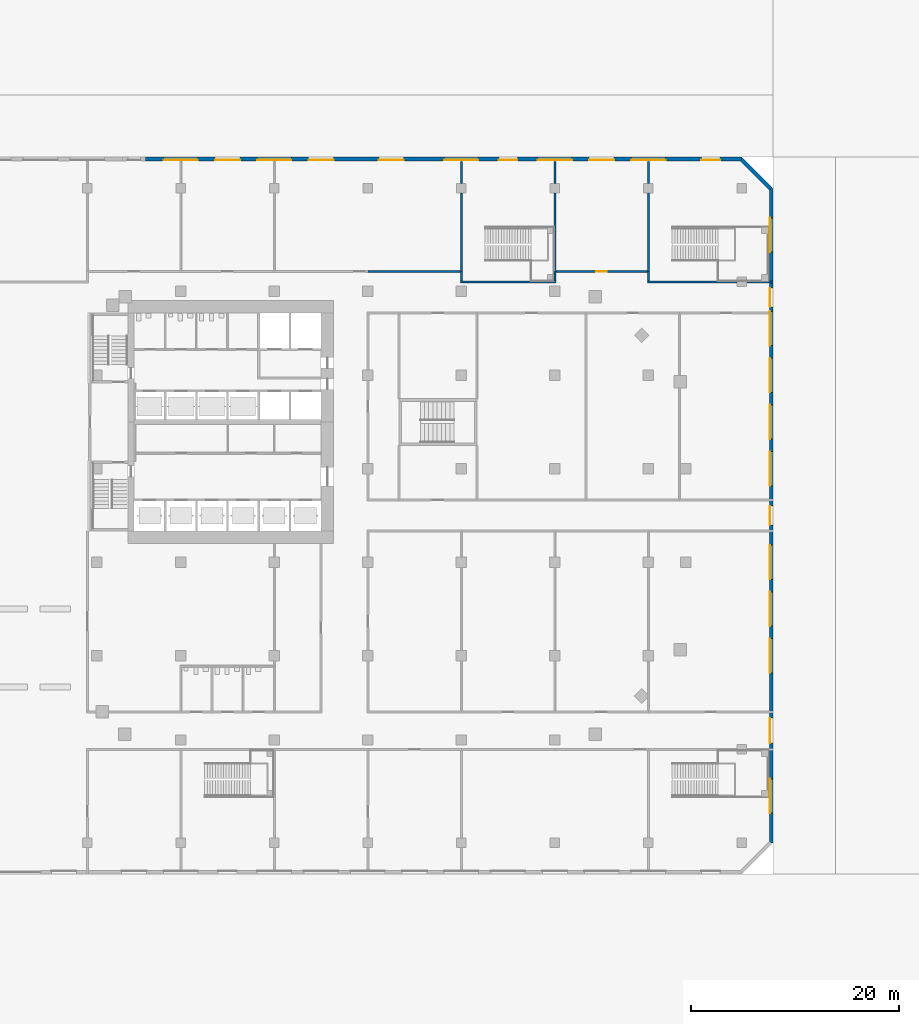
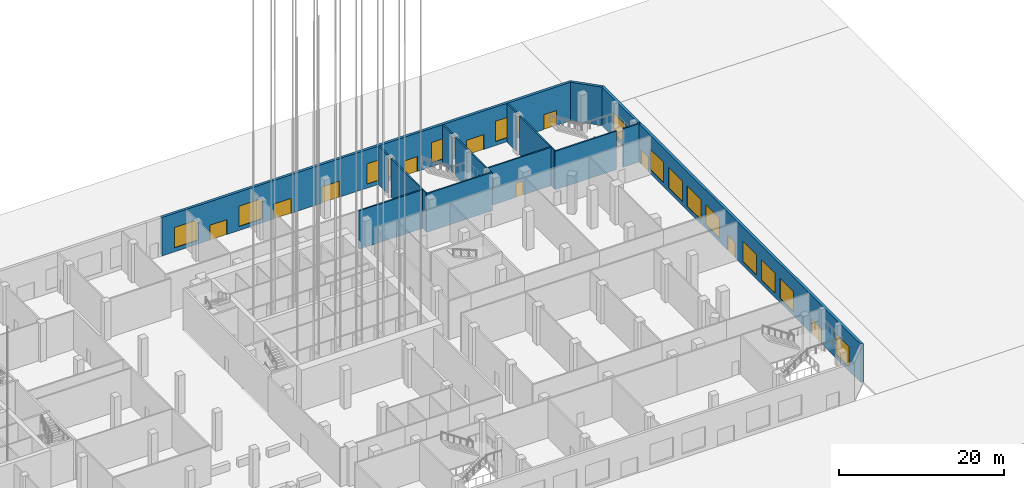
# One storey, part 43 of 55: 17 walls, 14 windows, 10 doors, 24 openings.
"""IFC4 building model written with IfcOpenShell, lengths in metres."""

from ifc_helpers import new_model, si_unit, direction, frame, frame_2d, origin, place, context, subcontext, project, spatial, rectangle, extrude, material, layer, layer_set, type_object, element, fill, save


model = new_model("IFC4")

# Units and contexts
model_context = context("Model", 3, precision=1e-05, world=origin(), true_north=direction((0.0, 1.0)))
body_context = subcontext(model_context, "Body", "Model", "MODEL_VIEW")
ifc_project = project(units=[si_unit("LENGTHUNIT", "METRE"), si_unit("AREAUNIT", "SQUARE_METRE"), si_unit("VOLUMEUNIT", "CUBIC_METRE"), si_unit("PLANEANGLEUNIT", "RADIAN"), si_unit("MASSUNIT", "GRAM", prefix="KILO")], contexts=[model_context])

# Site, building, storey
site_placement = place(None, origin())
site = spatial("IfcSite", under=ifc_project, at=site_placement, CompositionType="ELEMENT")
building_placement = place(site_placement, origin())
building = spatial("IfcBuilding", under=site, at=building_placement, Name="Cinnabar Reach Civic Tower", CompositionType="ELEMENT")
storey_placement = place(building_placement, origin())
storey = spatial("IfcBuildingStorey", under=building, at=storey_placement, Name="L00", CompositionType="ELEMENT", Elevation=0.0)

# Wall
ifc_material_1 = material(Name="Facing brick with insulated backing", Category="masonry")
ifc_layer_1 = layer(ifc_material_1, 0.36)
ifc_layer_set_1 = layer_set([ifc_layer_1], Name="Brick corner wall")
wall_type_1 = type_object("IfcWallType", Name="Brick corner wall", PredefinedType="STANDARD", material=ifc_layer_set_1)
wall_1_placement = place(storey_placement, frame((65.7843, 53.9611, 0.0), z_axis=(0.0, 0.0, 1.0), x_axis=(-0.707106781187, 0.707106781187, 0.0)))
element("IfcWall", 1, at=wall_1_placement, inside=storey, type_object=wall_type_1, Name="Brick corner wall", PredefinedType="STANDARD", context=body_context, shape_type="SweptSolid", body=[
    extrude(rectangle(XDim=3.9926, YDim=0.36, at=frame_2d((1.9963, 0.0))), origin(), (0.0, 0.0, 1.0), 5.7),
])

# Wall, openings, doors, windows
ifc_layer_2 = layer(ifc_material_1, 0.36)
ifc_layer_set_2 = layer_set([ifc_layer_2], Name="Brick pier and spandrel wall")
wall_type_2 = type_object("IfcWallType", Name="Brick pier and spandrel wall", PredefinedType="STANDARD", material=ifc_layer_set_2)
wall_2_placement = place(storey_placement, frame((65.82, -9.0, 0.0), z_axis=(0.0, 0.0, 1.0), x_axis=(0.0, 1.0, 0.0)))
wall_2 = element("IfcWall", 2, at=wall_2_placement, inside=storey, type_object=wall_type_2, Name="Brick facade wall", PredefinedType="STANDARD", context=body_context, shape_type="SweptSolid", body=[
    extrude(rectangle(XDim=63.0, YDim=0.36, at=frame_2d((31.5, 0.0))), origin(), (0.0, 0.0, 1.0), 5.7),
])
opening_1_placement = place(wall_2_placement, frame((30.6, 0.0, 0.0)))
opening_1 = element("IfcOpeningElement", 3, at=opening_1_placement, cuts=wall_2, Name="Opening D7533", PredefinedType="OPENING", context=body_context, shape_type="SweptSolid", body=[
    extrude(rectangle(XDim=1.8, YDim=2.2, at=frame_2d((0.9, 1.1))), frame((0.0, 0.19, 0.0), z_axis=(0.0, -1.0, 0.0), x_axis=(1.0, 0.0, 0.0)), (0.0, 0.0, 1.0), 0.38),
])
opening_2_placement = place(wall_2_placement, frame((51.6, 0.0, 0.0)))
opening_2 = element("IfcOpeningElement", 4, at=opening_2_placement, cuts=wall_2, Name="Opening D7534", PredefinedType="OPENING", context=body_context, shape_type="SweptSolid", body=[
    extrude(rectangle(XDim=1.8, YDim=2.2, at=frame_2d((0.9, 1.1))), frame((0.0, 0.19, 0.0), z_axis=(0.0, -1.0, 0.0), x_axis=(1.0, 0.0, 0.0)), (0.0, 0.0, 1.0), 0.38),
])
opening_3_placement = place(wall_2_placement, frame((9.6, 0.0, 0.0)))
opening_3 = element("IfcOpeningElement", 5, at=opening_3_placement, cuts=wall_2, Name="Opening D7535", PredefinedType="OPENING", context=body_context, shape_type="SweptSolid", body=[
    extrude(rectangle(XDim=2.4, YDim=2.2, at=frame_2d((1.2, 1.1))), frame((0.0, 0.19, 0.0), z_axis=(0.0, -1.0, 0.0), x_axis=(1.0, 0.0, 0.0)), (0.0, 0.0, 1.0), 0.38),
])
opening_4_placement = place(wall_2_placement, frame((2.85, 0.0, 0.6)))
opening_4 = element("IfcOpeningElement", 6, at=opening_4_placement, cuts=wall_2, Name="Opening W2818", PredefinedType="OPENING", context=body_context, shape_type="SweptSolid", body=[
    extrude(rectangle(XDim=3.3, YDim=3.0, at=frame_2d((1.65, 1.5))), frame((0.0, 0.19, 0.0), z_axis=(0.0, -1.0, 0.0), x_axis=(1.0, 0.0, 0.0)), (0.0, 0.0, 1.0), 0.38),
])
opening_5_placement = place(wall_2_placement, frame((16.35, 0.0, 0.6)))
opening_5 = element("IfcOpeningElement", 7, at=opening_5_placement, cuts=wall_2, Name="Opening W2819", PredefinedType="OPENING", context=body_context, shape_type="SweptSolid", body=[
    extrude(rectangle(XDim=3.3, YDim=3.0, at=frame_2d((1.65, 1.5))), frame((0.0, 0.19, 0.0), z_axis=(0.0, -1.0, 0.0), x_axis=(1.0, 0.0, 0.0)), (0.0, 0.0, 1.0), 0.38),
])
opening_6_placement = place(wall_2_placement, frame((20.85, 0.0, 0.6)))
opening_6 = element("IfcOpeningElement", 8, at=opening_6_placement, cuts=wall_2, Name="Opening W2820", PredefinedType="OPENING", context=body_context, shape_type="SweptSolid", body=[
    extrude(rectangle(XDim=3.3, YDim=3.0, at=frame_2d((1.65, 1.5))), frame((0.0, 0.19, 0.0), z_axis=(0.0, -1.0, 0.0), x_axis=(1.0, 0.0, 0.0)), (0.0, 0.0, 1.0), 0.38),
])
opening_7_placement = place(wall_2_placement, frame((25.35, 0.0, 0.6)))
opening_7 = element("IfcOpeningElement", 9, at=opening_7_placement, cuts=wall_2, Name="Opening W2821", PredefinedType="OPENING", context=body_context, shape_type="SweptSolid", body=[
    extrude(rectangle(XDim=3.3, YDim=3.0, at=frame_2d((1.65, 1.5))), frame((0.0, 0.19, 0.0), z_axis=(0.0, -1.0, 0.0), x_axis=(1.0, 0.0, 0.0)), (0.0, 0.0, 1.0), 0.38),
])
opening_8_placement = place(wall_2_placement, frame((34.35, 0.0, 0.6)))
opening_8 = element("IfcOpeningElement", 10, at=opening_8_placement, cuts=wall_2, Name="Opening W2822", PredefinedType="OPENING", context=body_context, shape_type="SweptSolid", body=[
    extrude(rectangle(XDim=3.3, YDim=3.0, at=frame_2d((1.65, 1.5))), frame((0.0, 0.19, 0.0), z_axis=(0.0, -1.0, 0.0), x_axis=(1.0, 0.0, 0.0)), (0.0, 0.0, 1.0), 0.38),
])
opening_9_placement = place(wall_2_placement, frame((38.85, 0.0, 0.6)))
opening_9 = element("IfcOpeningElement", 11, at=opening_9_placement, cuts=wall_2, Name="Opening W2823", PredefinedType="OPENING", context=body_context, shape_type="SweptSolid", body=[
    extrude(rectangle(XDim=3.3, YDim=3.0, at=frame_2d((1.65, 1.5))), frame((0.0, 0.19, 0.0), z_axis=(0.0, -1.0, 0.0), x_axis=(1.0, 0.0, 0.0)), (0.0, 0.0, 1.0), 0.38),
])
opening_10_placement = place(wall_2_placement, frame((43.35, 0.0, 0.6)))
opening_10 = element("IfcOpeningElement", 12, at=opening_10_placement, cuts=wall_2, Name="Opening W2824", PredefinedType="OPENING", context=body_context, shape_type="SweptSolid", body=[
    extrude(rectangle(XDim=3.3, YDim=3.0, at=frame_2d((1.65, 1.5))), frame((0.0, 0.19, 0.0), z_axis=(0.0, -1.0, 0.0), x_axis=(1.0, 0.0, 0.0)), (0.0, 0.0, 1.0), 0.38),
])
opening_11_placement = place(wall_2_placement, frame((47.85, 0.0, 0.6)))
opening_11 = element("IfcOpeningElement", 13, at=opening_11_placement, cuts=wall_2, Name="Opening W2825", PredefinedType="OPENING", context=body_context, shape_type="SweptSolid", body=[
    extrude(rectangle(XDim=3.3, YDim=3.0, at=frame_2d((1.65, 1.5))), frame((0.0, 0.19, 0.0), z_axis=(0.0, -1.0, 0.0), x_axis=(1.0, 0.0, 0.0)), (0.0, 0.0, 1.0), 0.38),
])
opening_12_placement = place(wall_2_placement, frame((56.85, 0.0, 0.6)))
opening_12 = element("IfcOpeningElement", 14, at=opening_12_placement, cuts=wall_2, Name="Opening W2826", PredefinedType="OPENING", context=body_context, shape_type="SweptSolid", body=[
    extrude(rectangle(XDim=3.3, YDim=3.0, at=frame_2d((1.65, 1.5))), frame((0.0, 0.19, 0.0), z_axis=(0.0, -1.0, 0.0), x_axis=(1.0, 0.0, 0.0)), (0.0, 0.0, 1.0), 0.38),
])
ifc_material_2 = material(Name="Steel fire door", Category="steel")
door_type_1 = type_object("IfcDoorType", Name="Facade exit double door", OperationType="SINGLE_SWING_LEFT", PredefinedType="DOOR", material=ifc_material_2)
door_1_placement = place(opening_1_placement, frame((1.8, 0.0, 0.0), z_axis=(0.0, 0.0, 1.0), x_axis=(-1.0, 0.0, 0.0)))
door_1 = element("IfcDoor", 15, at=door_1_placement, inside=storey, type_object=door_type_1, Name="East corridor exit", OperationType="DOUBLE_DOOR_SINGLE_SWING", OverallHeight=2.2, OverallWidth=1.8, PredefinedType="DOOR", context=body_context, shape_type="SweptSolid", body=[
    extrude(rectangle(XDim=1.8, YDim=2.2, at=frame_2d((0.9, 1.1))), frame((0.0, -0.07, 0.0), z_axis=(0.0, -1.0, 0.0), x_axis=(1.0, 0.0, 0.0)), (0.0, 0.0, 1.0), 0.05),
])
fill(opening_1, door_1)
door_2_placement = place(opening_2_placement, frame((1.8, 0.0, 0.0), z_axis=(0.0, 0.0, 1.0), x_axis=(-1.0, 0.0, 0.0)))
door_2 = element("IfcDoor", 16, at=door_2_placement, inside=storey, type_object=door_type_1, Name="North corridor exit", OperationType="DOUBLE_DOOR_SINGLE_SWING", OverallHeight=2.2, OverallWidth=1.8, PredefinedType="DOOR", context=body_context, shape_type="SweptSolid", body=[
    extrude(rectangle(XDim=1.8, YDim=2.2, at=frame_2d((0.9, 1.1))), frame((0.0, -0.07, 0.0), z_axis=(0.0, -1.0, 0.0), x_axis=(1.0, 0.0, 0.0)), (0.0, 0.0, 1.0), 0.05),
])
fill(opening_2, door_2)
door_type_2 = type_object("IfcDoorType", Name="Facade wide exit double door", OperationType="SINGLE_SWING_LEFT", PredefinedType="DOOR", material=ifc_material_2)
door_3_placement = place(opening_3_placement, frame((2.4, 0.0, 0.0), z_axis=(0.0, 0.0, 1.0), x_axis=(-1.0, 0.0, 0.0)))
door_3 = element("IfcDoor", 17, at=door_3_placement, inside=storey, type_object=door_type_2, Name="East corridor exit", OperationType="DOUBLE_DOOR_SINGLE_SWING", OverallHeight=2.2, OverallWidth=2.4, PredefinedType="DOOR", context=body_context, shape_type="SweptSolid", body=[
    extrude(rectangle(XDim=2.4, YDim=2.2, at=frame_2d((1.2, 1.1))), frame((0.0, -0.07, 0.0), z_axis=(0.0, -1.0, 0.0), x_axis=(1.0, 0.0, 0.0)), (0.0, 0.0, 1.0), 0.05),
])
fill(opening_3, door_3)
ifc_material_3 = material(Name="Clear double glazing in aluminium frame", Category="aluminium")
window_type = type_object("IfcWindowType", Name="Podium window G", PartitioningType="SINGLE_PANEL", PredefinedType="WINDOW", material=ifc_material_3)
window_1_placement = place(opening_4_placement, origin())
window_1 = element("IfcWindow", 18, at=window_1_placement, inside=storey, type_object=window_type, Name="Window east face", OverallHeight=3.0, OverallWidth=3.3, PartitioningType="SINGLE_PANEL", PredefinedType="WINDOW", context=body_context, shape_type="SweptSolid", body=[
    extrude(rectangle(XDim=3.3, YDim=3.0, at=frame_2d((1.65, 1.5))), frame((0.0, 0.13, 0.0), z_axis=(0.0, -1.0, 0.0), x_axis=(1.0, 0.0, 0.0)), (0.0, 0.0, 1.0), 0.06),
])
fill(opening_4, window_1)
window_2_placement = place(opening_5_placement, origin())
window_2 = element("IfcWindow", 19, at=window_2_placement, inside=storey, type_object=window_type, Name="Window east face", OverallHeight=3.0, OverallWidth=3.3, PartitioningType="SINGLE_PANEL", PredefinedType="WINDOW", context=body_context, shape_type="SweptSolid", body=[
    extrude(rectangle(XDim=3.3, YDim=3.0, at=frame_2d((1.65, 1.5))), frame((0.0, 0.13, 0.0), z_axis=(0.0, -1.0, 0.0), x_axis=(1.0, 0.0, 0.0)), (0.0, 0.0, 1.0), 0.06),
])
fill(opening_5, window_2)
window_3_placement = place(opening_6_placement, origin())
window_3 = element("IfcWindow", 20, at=window_3_placement, inside=storey, type_object=window_type, Name="Window east face", OverallHeight=3.0, OverallWidth=3.3, PartitioningType="SINGLE_PANEL", PredefinedType="WINDOW", context=body_context, shape_type="SweptSolid", body=[
    extrude(rectangle(XDim=3.3, YDim=3.0, at=frame_2d((1.65, 1.5))), frame((0.0, 0.13, 0.0), z_axis=(0.0, -1.0, 0.0), x_axis=(1.0, 0.0, 0.0)), (0.0, 0.0, 1.0), 0.06),
])
fill(opening_6, window_3)
window_4_placement = place(opening_7_placement, origin())
window_4 = element("IfcWindow", 21, at=window_4_placement, inside=storey, type_object=window_type, Name="Window east face", OverallHeight=3.0, OverallWidth=3.3, PartitioningType="SINGLE_PANEL", PredefinedType="WINDOW", context=body_context, shape_type="SweptSolid", body=[
    extrude(rectangle(XDim=3.3, YDim=3.0, at=frame_2d((1.65, 1.5))), frame((0.0, 0.13, 0.0), z_axis=(0.0, -1.0, 0.0), x_axis=(1.0, 0.0, 0.0)), (0.0, 0.0, 1.0), 0.06),
])
fill(opening_7, window_4)
window_5_placement = place(opening_8_placement, origin())
window_5 = element("IfcWindow", 22, at=window_5_placement, inside=storey, type_object=window_type, Name="Window east face", OverallHeight=3.0, OverallWidth=3.3, PartitioningType="SINGLE_PANEL", PredefinedType="WINDOW", context=body_context, shape_type="SweptSolid", body=[
    extrude(rectangle(XDim=3.3, YDim=3.0, at=frame_2d((1.65, 1.5))), frame((0.0, 0.13, 0.0), z_axis=(0.0, -1.0, 0.0), x_axis=(1.0, 0.0, 0.0)), (0.0, 0.0, 1.0), 0.06),
])
fill(opening_8, window_5)
window_6_placement = place(opening_9_placement, origin())
window_6 = element("IfcWindow", 23, at=window_6_placement, inside=storey, type_object=window_type, Name="Window east face", OverallHeight=3.0, OverallWidth=3.3, PartitioningType="SINGLE_PANEL", PredefinedType="WINDOW", context=body_context, shape_type="SweptSolid", body=[
    extrude(rectangle(XDim=3.3, YDim=3.0, at=frame_2d((1.65, 1.5))), frame((0.0, 0.13, 0.0), z_axis=(0.0, -1.0, 0.0), x_axis=(1.0, 0.0, 0.0)), (0.0, 0.0, 1.0), 0.06),
])
fill(opening_9, window_6)
window_7_placement = place(opening_10_placement, origin())
window_7 = element("IfcWindow", 24, at=window_7_placement, inside=storey, type_object=window_type, Name="Window east face", OverallHeight=3.0, OverallWidth=3.3, PartitioningType="SINGLE_PANEL", PredefinedType="WINDOW", context=body_context, shape_type="SweptSolid", body=[
    extrude(rectangle(XDim=3.3, YDim=3.0, at=frame_2d((1.65, 1.5))), frame((0.0, 0.13, 0.0), z_axis=(0.0, -1.0, 0.0), x_axis=(1.0, 0.0, 0.0)), (0.0, 0.0, 1.0), 0.06),
])
fill(opening_10, window_7)
window_8_placement = place(opening_11_placement, origin())
window_8 = element("IfcWindow", 25, at=window_8_placement, inside=storey, type_object=window_type, Name="Window east face", OverallHeight=3.0, OverallWidth=3.3, PartitioningType="SINGLE_PANEL", PredefinedType="WINDOW", context=body_context, shape_type="SweptSolid", body=[
    extrude(rectangle(XDim=3.3, YDim=3.0, at=frame_2d((1.65, 1.5))), frame((0.0, 0.13, 0.0), z_axis=(0.0, -1.0, 0.0), x_axis=(1.0, 0.0, 0.0)), (0.0, 0.0, 1.0), 0.06),
])
fill(opening_11, window_8)
window_9_placement = place(opening_12_placement, origin())
window_9 = element("IfcWindow", 26, at=window_9_placement, inside=storey, type_object=window_type, Name="Window east face", OverallHeight=3.0, OverallWidth=3.3, PartitioningType="SINGLE_PANEL", PredefinedType="WINDOW", context=body_context, shape_type="SweptSolid", body=[
    extrude(rectangle(XDim=3.3, YDim=3.0, at=frame_2d((1.65, 1.5))), frame((0.0, 0.13, 0.0), z_axis=(0.0, -1.0, 0.0), x_axis=(1.0, 0.0, 0.0)), (0.0, 0.0, 1.0), 0.06),
])
fill(opening_12, window_9)

wall_3_placement = place(storey_placement, frame((63.0, 56.82, 0.0), z_axis=(0.0, 0.0, 1.0), x_axis=(-1.0, 0.0, 0.0)))
wall_3 = element("IfcWall", 27, at=wall_3_placement, inside=storey, type_object=wall_type_2, Name="Brick facade wall", PredefinedType="STANDARD", context=body_context, shape_type="SweptSolid", body=[
    extrude(rectangle(XDim=57.4, YDim=0.36, at=frame_2d((28.7, 0.0))), origin(), (0.0, 0.0, 1.0), 5.7),
])
opening_13_placement = place(wall_3_placement, frame((32.55, 0.0, 0.0)))
opening_13 = element("IfcOpeningElement", 28, at=opening_13_placement, cuts=wall_3, Name="Opening D7536", PredefinedType="OPENING", context=body_context, shape_type="SweptSolid", body=[
    extrude(rectangle(XDim=2.4, YDim=2.4, at=frame_2d((1.2, 1.2))), frame((0.0, 0.19, 0.0), z_axis=(0.0, -1.0, 0.0), x_axis=(1.0, 0.0, 0.0)), (0.0, 0.0, 1.0), 0.38),
])
opening_14_placement = place(wall_3_placement, frame((48.3, 0.0, 0.0)))
opening_14 = element("IfcOpeningElement", 29, at=opening_14_placement, cuts=wall_3, Name="Opening D7537", PredefinedType="OPENING", context=body_context, shape_type="SweptSolid", body=[
    extrude(rectangle(XDim=2.4, YDim=2.2, at=frame_2d((1.2, 1.1))), frame((0.0, 0.19, 0.0), z_axis=(0.0, -1.0, 0.0), x_axis=(1.0, 0.0, 0.0)), (0.0, 0.0, 1.0), 0.38),
])
opening_15_placement = place(wall_3_placement, frame((39.3, 0.0, 0.0)))
opening_15 = element("IfcOpeningElement", 30, at=opening_15_placement, cuts=wall_3, Name="Opening D7538", PredefinedType="OPENING", context=body_context, shape_type="SweptSolid", body=[
    extrude(rectangle(XDim=2.4, YDim=2.2, at=frame_2d((1.2, 1.1))), frame((0.0, 0.19, 0.0), z_axis=(0.0, -1.0, 0.0), x_axis=(1.0, 0.0, 0.0)), (0.0, 0.0, 1.0), 0.38),
])
opening_16_placement = place(wall_3_placement, frame((12.3, 0.0, 0.0)))
opening_16 = element("IfcOpeningElement", 31, at=opening_16_placement, cuts=wall_3, Name="Opening D7539", PredefinedType="OPENING", context=body_context, shape_type="SweptSolid", body=[
    extrude(rectangle(XDim=2.4, YDim=2.2, at=frame_2d((1.2, 1.1))), frame((0.0, 0.19, 0.0), z_axis=(0.0, -1.0, 0.0), x_axis=(1.0, 0.0, 0.0)), (0.0, 0.0, 1.0), 0.38),
])
opening_17_placement = place(wall_3_placement, frame((21.6, 0.0, 0.0)))
opening_17 = element("IfcOpeningElement", 32, at=opening_17_placement, cuts=wall_3, Name="Opening D7540", PredefinedType="OPENING", context=body_context, shape_type="SweptSolid", body=[
    extrude(rectangle(XDim=1.8, YDim=2.2, at=frame_2d((0.9, 1.1))), frame((0.0, 0.19, 0.0), z_axis=(0.0, -1.0, 0.0), x_axis=(1.0, 0.0, 0.0)), (0.0, 0.0, 1.0), 0.38),
])
opening_18_placement = place(wall_3_placement, frame((2.1, 0.0, 0.0)))
opening_18 = element("IfcOpeningElement", 33, at=opening_18_placement, cuts=wall_3, Name="Opening D7541", PredefinedType="OPENING", context=body_context, shape_type="SweptSolid", body=[
    extrude(rectangle(XDim=1.8, YDim=2.2, at=frame_2d((0.9, 1.1))), frame((0.0, 0.19, 0.0), z_axis=(0.0, -1.0, 0.0), x_axis=(1.0, 0.0, 0.0)), (0.0, 0.0, 1.0), 0.38),
])
opening_19_placement = place(wall_3_placement, frame((7.35, 0.0, 0.6)))
opening_19 = element("IfcOpeningElement", 34, at=opening_19_placement, cuts=wall_3, Name="Opening W2827", PredefinedType="OPENING", context=body_context, shape_type="SweptSolid", body=[
    extrude(rectangle(XDim=3.3, YDim=3.0, at=frame_2d((1.65, 1.5))), frame((0.0, 0.19, 0.0), z_axis=(0.0, -1.0, 0.0), x_axis=(1.0, 0.0, 0.0)), (0.0, 0.0, 1.0), 0.38),
])
opening_20_placement = place(wall_3_placement, frame((16.35, 0.0, 0.6)))
opening_20 = element("IfcOpeningElement", 35, at=opening_20_placement, cuts=wall_3, Name="Opening W2828", PredefinedType="OPENING", context=body_context, shape_type="SweptSolid", body=[
    extrude(rectangle(XDim=3.3, YDim=3.0, at=frame_2d((1.65, 1.5))), frame((0.0, 0.19, 0.0), z_axis=(0.0, -1.0, 0.0), x_axis=(1.0, 0.0, 0.0)), (0.0, 0.0, 1.0), 0.38),
])
opening_21_placement = place(wall_3_placement, frame((25.35, 0.0, 0.6)))
opening_21 = element("IfcOpeningElement", 36, at=opening_21_placement, cuts=wall_3, Name="Opening W2829", PredefinedType="OPENING", context=body_context, shape_type="SweptSolid", body=[
    extrude(rectangle(XDim=3.3, YDim=3.0, at=frame_2d((1.65, 1.5))), frame((0.0, 0.19, 0.0), z_axis=(0.0, -1.0, 0.0), x_axis=(1.0, 0.0, 0.0)), (0.0, 0.0, 1.0), 0.38),
])
opening_22_placement = place(wall_3_placement, frame((43.35, 0.0, 0.6)))
opening_22 = element("IfcOpeningElement", 37, at=opening_22_placement, cuts=wall_3, Name="Opening W2830", PredefinedType="OPENING", context=body_context, shape_type="SweptSolid", body=[
    extrude(rectangle(XDim=3.3, YDim=3.0, at=frame_2d((1.65, 1.5))), frame((0.0, 0.19, 0.0), z_axis=(0.0, -1.0, 0.0), x_axis=(1.0, 0.0, 0.0)), (0.0, 0.0, 1.0), 0.38),
])
opening_23_placement = place(wall_3_placement, frame((52.35, 0.0, 0.6)))
opening_23 = element("IfcOpeningElement", 38, at=opening_23_placement, cuts=wall_3, Name="Opening W2831", PredefinedType="OPENING", context=body_context, shape_type="SweptSolid", body=[
    extrude(rectangle(XDim=3.3, YDim=3.0, at=frame_2d((1.65, 1.5))), frame((0.0, 0.19, 0.0), z_axis=(0.0, -1.0, 0.0), x_axis=(1.0, 0.0, 0.0)), (0.0, 0.0, 1.0), 0.38),
])
ifc_material_4 = material(Name="Clear glazing in aluminium frame", Category="aluminium")
door_type_3 = type_object("IfcDoorType", Name="Facade entrance double door", OperationType="SINGLE_SWING_LEFT", PredefinedType="DOOR", material=ifc_material_4)
door_4_placement = place(opening_13_placement, frame((2.4, 0.0, 0.0), z_axis=(0.0, 0.0, 1.0), x_axis=(-1.0, 0.0, 0.0)))
door_4 = element("IfcDoor", 39, at=door_4_placement, inside=storey, type_object=door_type_3, Name="Civic tower reception entrance", OperationType="DOUBLE_DOOR_SINGLE_SWING", OverallHeight=2.4, OverallWidth=2.4, PredefinedType="DOOR", context=body_context, shape_type="SweptSolid", body=[
    extrude(rectangle(XDim=2.4, YDim=2.4, at=frame_2d((1.2, 1.2))), frame((0.0, -0.07, 0.0), z_axis=(0.0, -1.0, 0.0), x_axis=(1.0, 0.0, 0.0)), (0.0, 0.0, 1.0), 0.05),
])
fill(opening_13, door_4)
door_5_placement = place(opening_17_placement, frame((1.8, 0.0, 0.0), z_axis=(0.0, 0.0, 1.0), x_axis=(-1.0, 0.0, 0.0)))
door_5 = element("IfcDoor", 40, at=door_5_placement, inside=storey, type_object=door_type_1, Name="Stair exit discharge", OperationType="DOUBLE_DOOR_SINGLE_SWING", OverallHeight=2.2, OverallWidth=1.8, PredefinedType="DOOR", context=body_context, shape_type="SweptSolid", body=[
    extrude(rectangle(XDim=1.8, YDim=2.2, at=frame_2d((0.9, 1.1))), frame((0.0, -0.07, 0.0), z_axis=(0.0, -1.0, 0.0), x_axis=(1.0, 0.0, 0.0)), (0.0, 0.0, 1.0), 0.05),
])
fill(opening_17, door_5)
door_6_placement = place(opening_18_placement, frame((1.8, 0.0, 0.0), z_axis=(0.0, 0.0, 1.0), x_axis=(-1.0, 0.0, 0.0)))
door_6 = element("IfcDoor", 41, at=door_6_placement, inside=storey, type_object=door_type_1, Name="Stair exit discharge", OperationType="DOUBLE_DOOR_SINGLE_SWING", OverallHeight=2.2, OverallWidth=1.8, PredefinedType="DOOR", context=body_context, shape_type="SweptSolid", body=[
    extrude(rectangle(XDim=1.8, YDim=2.2, at=frame_2d((0.9, 1.1))), frame((0.0, -0.07, 0.0), z_axis=(0.0, -1.0, 0.0), x_axis=(1.0, 0.0, 0.0)), (0.0, 0.0, 1.0), 0.05),
])
fill(opening_18, door_6)
door_7_placement = place(opening_14_placement, frame((2.4, 0.0, 0.0), z_axis=(0.0, 0.0, 1.0), x_axis=(-1.0, 0.0, 0.0)))
door_7 = element("IfcDoor", 42, at=door_7_placement, inside=storey, type_object=door_type_2, Name="Retail unit exit", OperationType="DOUBLE_DOOR_SINGLE_SWING", OverallHeight=2.2, OverallWidth=2.4, PredefinedType="DOOR", context=body_context, shape_type="SweptSolid", body=[
    extrude(rectangle(XDim=2.4, YDim=2.2, at=frame_2d((1.2, 1.1))), frame((0.0, -0.07, 0.0), z_axis=(0.0, -1.0, 0.0), x_axis=(1.0, 0.0, 0.0)), (0.0, 0.0, 1.0), 0.05),
])
fill(opening_14, door_7)
door_8_placement = place(opening_15_placement, frame((2.4, 0.0, 0.0), z_axis=(0.0, 0.0, 1.0), x_axis=(-1.0, 0.0, 0.0)))
door_8 = element("IfcDoor", 43, at=door_8_placement, inside=storey, type_object=door_type_2, Name="Tower reception exit", OperationType="DOUBLE_DOOR_SINGLE_SWING", OverallHeight=2.2, OverallWidth=2.4, PredefinedType="DOOR", context=body_context, shape_type="SweptSolid", body=[
    extrude(rectangle(XDim=2.4, YDim=2.2, at=frame_2d((1.2, 1.1))), frame((0.0, -0.07, 0.0), z_axis=(0.0, -1.0, 0.0), x_axis=(1.0, 0.0, 0.0)), (0.0, 0.0, 1.0), 0.05),
])
fill(opening_15, door_8)
door_9_placement = place(opening_16_placement, frame((2.4, 0.0, 0.0), z_axis=(0.0, 0.0, 1.0), x_axis=(-1.0, 0.0, 0.0)))
door_9 = element("IfcDoor", 44, at=door_9_placement, inside=storey, type_object=door_type_2, Name="Retail unit exit", OperationType="DOUBLE_DOOR_SINGLE_SWING", OverallHeight=2.2, OverallWidth=2.4, PredefinedType="DOOR", context=body_context, shape_type="SweptSolid", body=[
    extrude(rectangle(XDim=2.4, YDim=2.2, at=frame_2d((1.2, 1.1))), frame((0.0, -0.07, 0.0), z_axis=(0.0, -1.0, 0.0), x_axis=(1.0, 0.0, 0.0)), (0.0, 0.0, 1.0), 0.05),
])
fill(opening_16, door_9)
window_10_placement = place(opening_19_placement, origin())
window_10 = element("IfcWindow", 45, at=window_10_placement, inside=storey, type_object=window_type, Name="Window north face", OverallHeight=3.0, OverallWidth=3.3, PartitioningType="SINGLE_PANEL", PredefinedType="WINDOW", context=body_context, shape_type="SweptSolid", body=[
    extrude(rectangle(XDim=3.3, YDim=3.0, at=frame_2d((1.65, 1.5))), frame((0.0, 0.13, 0.0), z_axis=(0.0, -1.0, 0.0), x_axis=(1.0, 0.0, 0.0)), (0.0, 0.0, 1.0), 0.06),
])
fill(opening_19, window_10)
window_11_placement = place(opening_20_placement, origin())
window_11 = element("IfcWindow", 46, at=window_11_placement, inside=storey, type_object=window_type, Name="Window north face", OverallHeight=3.0, OverallWidth=3.3, PartitioningType="SINGLE_PANEL", PredefinedType="WINDOW", context=body_context, shape_type="SweptSolid", body=[
    extrude(rectangle(XDim=3.3, YDim=3.0, at=frame_2d((1.65, 1.5))), frame((0.0, 0.13, 0.0), z_axis=(0.0, -1.0, 0.0), x_axis=(1.0, 0.0, 0.0)), (0.0, 0.0, 1.0), 0.06),
])
fill(opening_20, window_11)
window_12_placement = place(opening_21_placement, origin())
window_12 = element("IfcWindow", 47, at=window_12_placement, inside=storey, type_object=window_type, Name="Window north face", OverallHeight=3.0, OverallWidth=3.3, PartitioningType="SINGLE_PANEL", PredefinedType="WINDOW", context=body_context, shape_type="SweptSolid", body=[
    extrude(rectangle(XDim=3.3, YDim=3.0, at=frame_2d((1.65, 1.5))), frame((0.0, 0.13, 0.0), z_axis=(0.0, -1.0, 0.0), x_axis=(1.0, 0.0, 0.0)), (0.0, 0.0, 1.0), 0.06),
])
fill(opening_21, window_12)
window_13_placement = place(opening_22_placement, origin())
window_13 = element("IfcWindow", 48, at=window_13_placement, inside=storey, type_object=window_type, Name="Window north face", OverallHeight=3.0, OverallWidth=3.3, PartitioningType="SINGLE_PANEL", PredefinedType="WINDOW", context=body_context, shape_type="SweptSolid", body=[
    extrude(rectangle(XDim=3.3, YDim=3.0, at=frame_2d((1.65, 1.5))), frame((0.0, 0.13, 0.0), z_axis=(0.0, -1.0, 0.0), x_axis=(1.0, 0.0, 0.0)), (0.0, 0.0, 1.0), 0.06),
])
fill(opening_22, window_13)
window_14_placement = place(opening_23_placement, origin())
window_14 = element("IfcWindow", 49, at=window_14_placement, inside=storey, type_object=window_type, Name="Window north face", OverallHeight=3.0, OverallWidth=3.3, PartitioningType="SINGLE_PANEL", PredefinedType="WINDOW", context=body_context, shape_type="SweptSolid", body=[
    extrude(rectangle(XDim=3.3, YDim=3.0, at=frame_2d((1.65, 1.5))), frame((0.0, 0.13, 0.0), z_axis=(0.0, -1.0, 0.0), x_axis=(1.0, 0.0, 0.0)), (0.0, 0.0, 1.0), 0.06),
])
fill(opening_23, window_14)

# Wall
ifc_material_5 = material(Name="Concrete blockwork", Category="masonry")
ifc_layer_3 = layer(ifc_material_5, 0.2)
ifc_layer_set_3 = layer_set([ifc_layer_3], Name="Podium masonry corridor wall 200 EI 120")
wall_type_3 = type_object("IfcWallType", Name="Podium masonry corridor wall 200 EI 120", PredefinedType="PARTITIONING", material=ifc_layer_set_3)
wall_4_placement = place(storey_placement, frame((27.0, 46.0, 0.0), z_axis=(0.0, 0.0, 1.0), x_axis=(1.0, 0.0, 0.0)))
element("IfcWall", 50, at=wall_4_placement, inside=storey, type_object=wall_type_3, Name="Wall L00 133", PredefinedType="PARTITIONING", context=body_context, shape_type="SweptSolid", body=[
    extrude(rectangle(XDim=8.9, YDim=0.2, at=frame_2d((4.45, 0.0))), origin(), (0.0, 0.0, 1.0), 5.7),
])

# Wall, opening, door
wall_5_placement = place(storey_placement, frame((45.1, 46.0, 0.0), z_axis=(0.0, 0.0, 1.0), x_axis=(1.0, 0.0, 0.0)))
wall_5 = element("IfcWall", 51, at=wall_5_placement, inside=storey, type_object=wall_type_3, Name="Wall L00 134", PredefinedType="PARTITIONING", context=body_context, shape_type="SweptSolid", body=[
    extrude(rectangle(XDim=8.8, YDim=0.2, at=frame_2d((4.4, 0.0))), origin(), (0.0, 0.0, 1.0), 5.7),
])
opening_24_placement = place(wall_5_placement, frame((3.9, 0.0, 0.0)))
opening_24 = element("IfcOpeningElement", 52, at=opening_24_placement, cuts=wall_5, Name="Opening D1042", PredefinedType="OPENING", context=body_context, shape_type="SweptSolid", body=[
    extrude(rectangle(XDim=1.0, YDim=2.1, at=frame_2d((0.5, 1.05))), frame((0.0, 0.11, 0.0), z_axis=(0.0, -1.0, 0.0), x_axis=(1.0, 0.0, 0.0)), (0.0, 0.0, 1.0), 0.22),
])
ifc_material_6 = material(Name="Painted steel door leaf", Category="steel")
door_type_4 = type_object("IfcDoorType", Name="Podium single door 1000x2100", OperationType="SINGLE_SWING_LEFT", PredefinedType="DOOR", material=ifc_material_6)
door_10_placement = place(opening_24_placement, origin())
door_10 = element("IfcDoor", 53, at=door_10_placement, inside=storey, type_object=door_type_4, Name="Door D1042", OperationType="SINGLE_SWING_RIGHT", OverallHeight=2.1, OverallWidth=1.0, PredefinedType="DOOR", context=body_context, shape_type="SweptSolid", body=[
    extrude(rectangle(XDim=1.0, YDim=2.1, at=frame_2d((0.5, 1.05))), frame((0.0, 0.025, 0.0), z_axis=(0.0, -1.0, 0.0), x_axis=(1.0, 0.0, 0.0)), (0.0, 0.0, 1.0), 0.05),
])
fill(opening_24, door_10)

# Walls
ifc_material_7 = material(Name="Concrete C40", Category="concrete")
ifc_layer_4 = layer(ifc_material_7, 0.2)
ifc_layer_set_4 = layer_set([ifc_layer_4], Name="Podium stair shaft wall 200 EI 120")
wall_type_4 = type_object("IfcWallType", Name="Podium stair shaft wall 200 EI 120", PredefinedType="SOLIDWALL", material=ifc_layer_set_4)
wall_6_placement = place(storey_placement, frame((54.0, 45.1, 0.0), z_axis=(0.0, 0.0, 1.0), x_axis=(0.0, 1.0, 0.0)))
element("IfcWall", 54, at=wall_6_placement, inside=storey, type_object=wall_type_4, Name="Wall L00 19", PredefinedType="SOLIDWALL", context=body_context, shape_type="SweptSolid", body=[
    extrude(rectangle(XDim=0.9, YDim=0.2, at=frame_2d((0.45, 0.0))), origin(), (0.0, 0.0, 1.0), 5.7),
])
wall_7_placement = place(storey_placement, frame((53.9, 45.0, 0.0), z_axis=(0.0, 0.0, 1.0), x_axis=(1.0, 0.0, 0.0)))
element("IfcWall", 55, at=wall_7_placement, inside=storey, type_object=wall_type_4, Name="Wall L00 20", PredefinedType="SOLIDWALL", context=body_context, shape_type="SweptSolid", body=[
    extrude(rectangle(XDim=8.63, YDim=0.2, at=frame_2d((4.315, 0.0))), origin(), (0.0, 0.0, 1.0), 5.7),
])
wall_8_placement = place(storey_placement, frame((63.47, 45.0, 0.0), z_axis=(0.0, 0.0, 1.0), x_axis=(1.0, 0.0, 0.0)))
element("IfcWall", 56, at=wall_8_placement, inside=storey, type_object=wall_type_4, Name="Wall L00 21", PredefinedType="SOLIDWALL", context=body_context, shape_type="SweptSolid", body=[
    extrude(rectangle(XDim=2.53, YDim=0.2, at=frame_2d((1.265, 0.0))), origin(), (0.0, 0.0, 1.0), 5.7),
])
wall_9_placement = place(storey_placement, frame((54.0, 46.0, 0.0), z_axis=(0.0, 0.0, 1.0), x_axis=(0.0, 1.0, 0.0)))
element("IfcWall", 57, at=wall_9_placement, inside=storey, type_object=wall_type_4, Name="Wall L00 22", PredefinedType="SOLIDWALL", context=body_context, shape_type="SweptSolid", body=[
    extrude(rectangle(XDim=7.53, YDim=0.2, at=frame_2d((3.765, 0.0))), origin(), (0.0, 0.0, 1.0), 5.7),
])
wall_10_placement = place(storey_placement, frame((54.0, 54.47, 0.0), z_axis=(0.0, 0.0, 1.0), x_axis=(0.0, 1.0, 0.0)))
element("IfcWall", 58, at=wall_10_placement, inside=storey, type_object=wall_type_4, Name="Wall L00 23", PredefinedType="SOLIDWALL", context=body_context, shape_type="SweptSolid", body=[
    extrude(rectangle(XDim=2.13, YDim=0.2, at=frame_2d((1.065, 0.0))), origin(), (0.0, 0.0, 1.0), 5.7),
])
for number, where, z_axis, x_axis, name in (
    (59, (36.0, 45.1, 0.0), (0.0, 0.0, 1.0), (0.0, 1.0, 0.0), "Wall L00 24"),
    (60, (45.0, 45.1, 0.0), (0.0, 0.0, 1.0), (0.0, 1.0, 0.0), "Wall L00 25"),
):
    element("IfcWall", number, at=place(storey_placement, frame(where, z_axis=z_axis, x_axis=x_axis)), inside=storey, type_object=wall_type_4, Name=name, PredefinedType="SOLIDWALL", context=body_context, shape_type="SweptSolid", body=[
        extrude(rectangle(XDim=0.9, YDim=0.2, at=frame_2d((0.45, 0.0))), origin(), (0.0, 0.0, 1.0), 5.7),
    ])
wall_11_placement = place(storey_placement, frame((35.9, 45.0, 0.0), z_axis=(0.0, 0.0, 1.0), x_axis=(1.0, 0.0, 0.0)))
element("IfcWall", 61, at=wall_11_placement, inside=storey, type_object=wall_type_4, Name="Wall L00 26", PredefinedType="SOLIDWALL", context=body_context, shape_type="SweptSolid", body=[
    extrude(rectangle(XDim=9.2, YDim=0.2, at=frame_2d((4.6, 0.0))), origin(), (0.0, 0.0, 1.0), 5.7),
])
wall_12_placement = place(storey_placement, frame((36.0, 46.0, 0.0), z_axis=(0.0, 0.0, 1.0), x_axis=(0.0, 1.0, 0.0)))
element("IfcWall", 62, at=wall_12_placement, inside=storey, type_object=wall_type_4, Name="Wall L00 27", PredefinedType="SOLIDWALL", context=body_context, shape_type="SweptSolid", body=[
    extrude(rectangle(XDim=7.53, YDim=0.2, at=frame_2d((3.765, 0.0))), origin(), (0.0, 0.0, 1.0), 5.7),
])
wall_13_placement = place(storey_placement, frame((36.0, 54.47, 0.0), z_axis=(0.0, 0.0, 1.0), x_axis=(0.0, 1.0, 0.0)))
element("IfcWall", 63, at=wall_13_placement, inside=storey, type_object=wall_type_4, Name="Wall L00 28", PredefinedType="SOLIDWALL", context=body_context, shape_type="SweptSolid", body=[
    extrude(rectangle(XDim=2.13, YDim=0.2, at=frame_2d((1.065, 0.0))), origin(), (0.0, 0.0, 1.0), 5.7),
])
wall_14_placement = place(storey_placement, frame((45.0, 46.0, 0.0), z_axis=(0.0, 0.0, 1.0), x_axis=(0.0, 1.0, 0.0)))
element("IfcWall", 64, at=wall_14_placement, inside=storey, type_object=wall_type_4, Name="Wall L00 29", PredefinedType="SOLIDWALL", context=body_context, shape_type="SweptSolid", body=[
    extrude(rectangle(XDim=7.53, YDim=0.2, at=frame_2d((3.765, 0.0))), origin(), (0.0, 0.0, 1.0), 5.7),
])
wall_15_placement = place(storey_placement, frame((45.0, 54.47, 0.0), z_axis=(0.0, 0.0, 1.0), x_axis=(0.0, 1.0, 0.0)))
element("IfcWall", 65, at=wall_15_placement, inside=storey, type_object=wall_type_4, Name="Wall L00 30", PredefinedType="SOLIDWALL", context=body_context, shape_type="SweptSolid", body=[
    extrude(rectangle(XDim=2.13, YDim=0.2, at=frame_2d((1.065, 0.0))), origin(), (0.0, 0.0, 1.0), 5.7),
])

save(model, "model.ifc")
